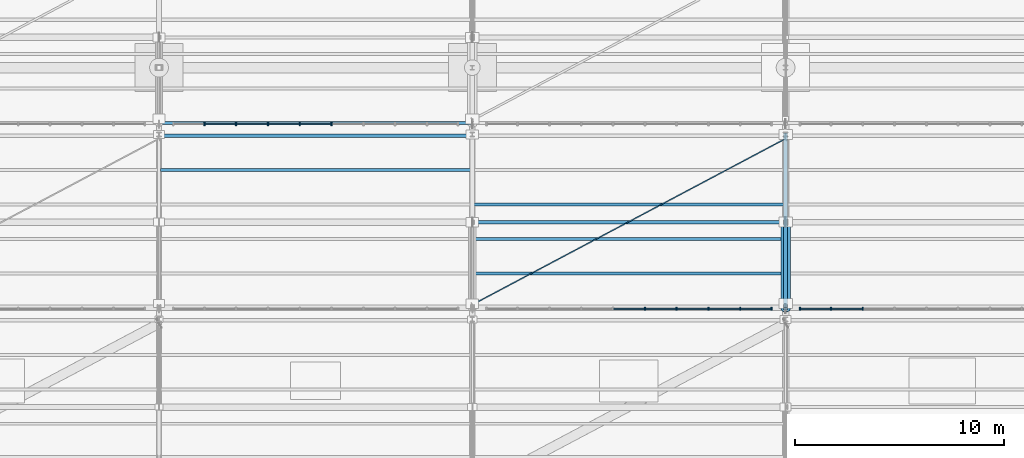
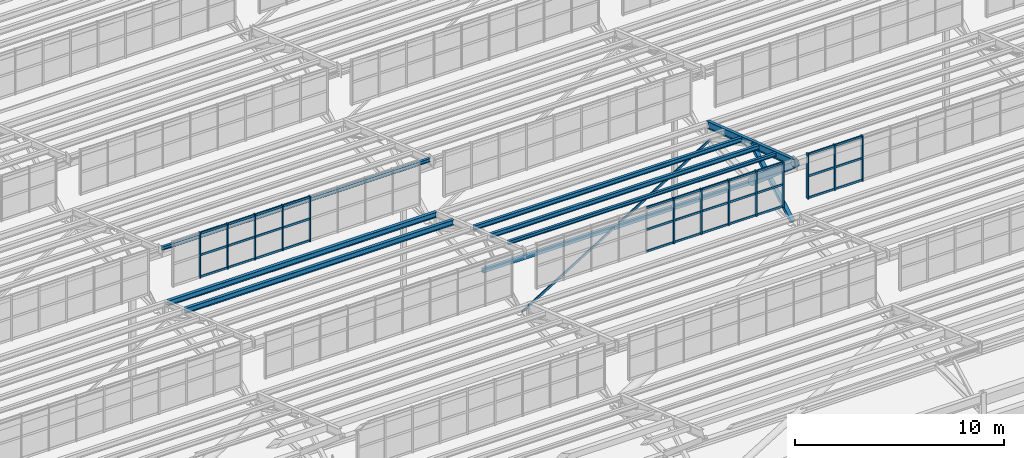
# One storey, part 57 of 285: 50 members, 7 beams, 3 elements without a shape of their own.
"""IFC4 building model written with IfcOpenShell, lengths in metres."""

from ifc_helpers import new_model, si_unit, direction, frame, origin, origin_2d, place, context, subcontext, project, spatial, rectangle, hollow_rectangle, hollow_circle, i_section, extrude, material, material_profile, profile_set, type_object, element, aggregate, save


model = new_model("IFC4")

# Units and contexts
model_context = context("Model", 3, precision=1e-05, world=origin(), true_north=direction((0.0, 1.0)))
body_context = subcontext(model_context, "Body", "Model", "MODEL_VIEW")
ifc_project = project(units=[si_unit("LENGTHUNIT", "METRE"), si_unit("AREAUNIT", "SQUARE_METRE"), si_unit("VOLUMEUNIT", "CUBIC_METRE"), si_unit("PLANEANGLEUNIT", "RADIAN"), si_unit("MASSUNIT", "GRAM", prefix="KILO")], contexts=[model_context])

# Site, building, storey
site_placement = place(None, origin())
site = spatial("IfcSite", under=ifc_project, at=site_placement, CompositionType="ELEMENT")
building_placement = place(site_placement, origin())
building = spatial("IfcBuilding", under=site, at=building_placement, Name="Solanera Park Tramway Depot", CompositionType="ELEMENT")
storey_placement = place(building_placement, origin())
storey = spatial("IfcBuildingStorey", under=building, at=storey_placement, Name="L00", CompositionType="ELEMENT", Elevation=0.0)

# Curtain wall, members
ifc_material_1 = material(Name="Bronze-anodised thermally broken aluminium curtain wall", Category="aluminium")
curtain_wall_type = type_object("IfcCurtainWallType", Name="Sawtooth Clerestory Monitor Curtain Wall", PredefinedType="NOTDEFINED", material=ifc_material_1)
curtain_wall_1_placement = place(storey_placement, origin())
curtain_wall_1 = element("IfcCurtainWall", 1, at=curtain_wall_1_placement, inside=storey, type_object=curtain_wall_type, Name="L00 Sawtooth Clerestory Monitor Curtain Wall #014", PredefinedType="NOTDEFINED")
ifc_material_2 = material(Name="Bronze-anodised structural aluminium 6063-T6", Category="aluminium")
ifc_material_profile_1 = material_profile(ifc_material_2, rectangle(XDim=0.06494140625, YDim=0.14990234375, at=origin_2d()), Name="Curtain Wall Mullion 65x150")
ifc_profile_set_1 = profile_set([ifc_material_profile_1], Name="Bronze-anodised structural aluminium 6063-T6")
member_type_1 = type_object("IfcMemberType", Name="Curtain Wall Mullion 65x150", PredefinedType="MULLION", material=ifc_profile_set_1)
member_1_placement = place(storey_placement, frame((53.260986328125, 73.449951171875, 7.75), z_axis=(0.0, 0.0, 1.0), x_axis=(1.0, 0.0, 0.0)))
member_1 = element("IfcMember", 2, at=member_1_placement, type_object=member_type_1, Name="CW-L00-014 Mullion 6", PredefinedType="MULLION", context=body_context, shape_type="SweptSolid", body=[
    extrude(rectangle(XDim=0.06494140625, YDim=0.14990234375, at=origin_2d()), origin(), (0.0, 0.0, 1.0), 2.6611328125),
])
member_2_placement = place(storey_placement, frame((54.783203125, 73.449951171875, 7.75), z_axis=(0.0, 0.0, 1.0), x_axis=(1.0, 0.0, 0.0)))
member_2 = element("IfcMember", 3, at=member_2_placement, type_object=member_type_1, Name="CW-L00-014 Mullion 7", PredefinedType="MULLION", context=body_context, shape_type="SweptSolid", body=[
    extrude(rectangle(XDim=0.06494140625, YDim=0.14990234375, at=origin_2d()), origin(), (0.0, 0.0, 1.0), 2.6611328125),
])
member_3_placement = place(storey_placement, frame((56.3056640625, 73.449951171875, 7.75), z_axis=(0.0, 0.0, 1.0), x_axis=(1.0, 0.0, 0.0)))
member_3 = element("IfcMember", 4, at=member_3_placement, type_object=member_type_1, Name="CW-L00-014 Mullion 8", PredefinedType="MULLION", context=body_context, shape_type="SweptSolid", body=[
    extrude(rectangle(XDim=0.06494140625, YDim=0.14990234375, at=origin_2d()), origin(), (0.0, 0.0, 1.0), 2.6611328125),
])
member_4_placement = place(storey_placement, frame((57.827880859375, 73.449951171875, 7.75), z_axis=(0.0, 0.0, 1.0), x_axis=(1.0, 0.0, 0.0)))
member_4 = element("IfcMember", 5, at=member_4_placement, type_object=member_type_1, Name="CW-L00-014 Mullion 9", PredefinedType="MULLION", context=body_context, shape_type="SweptSolid", body=[
    extrude(rectangle(XDim=0.06494140625, YDim=0.14990234375, at=origin_2d()), origin(), (0.0, 0.0, 1.0), 2.6611328125),
])
member_5_placement = place(storey_placement, frame((59.3173828125, 73.449951171875, 7.75), z_axis=(0.0, 0.0, 1.0), x_axis=(1.0, 0.0, 0.0)))
member_5 = element("IfcMember", 6, at=member_5_placement, type_object=member_type_1, Name="CW-L00-014 Mullion 10", PredefinedType="MULLION", context=body_context, shape_type="SweptSolid", body=[
    extrude(rectangle(XDim=0.06494140625, YDim=0.14990234375, at=origin_2d()), origin(), (0.0, 0.0, 1.0), 2.6611328125),
])

curtain_wall_2_placement = place(storey_placement, origin())
curtain_wall_2 = element("IfcCurtainWall", 7, at=curtain_wall_2_placement, inside=storey, type_object=curtain_wall_type, Name="L00 Sawtooth Clerestory Monitor Curtain Wall #015", PredefinedType="NOTDEFINED")
member_6_placement = place(storey_placement, frame((60.6826171875, 73.449951171875, 7.75), z_axis=(0.0, 0.0, 1.0), x_axis=(1.0, 0.0, 0.0)))
member_6 = element("IfcMember", 8, at=member_6_placement, type_object=member_type_1, Name="CW-L00-015 Mullion 1", PredefinedType="MULLION", context=body_context, shape_type="SweptSolid", body=[
    extrude(rectangle(XDim=0.06494140625, YDim=0.14990234375, at=origin_2d()), origin(), (0.0, 0.0, 1.0), 2.6611328125),
])
member_7_placement = place(storey_placement, frame((62.172119140625, 73.449951171875, 7.75), z_axis=(0.0, 0.0, 1.0), x_axis=(1.0, 0.0, 0.0)))
member_7 = element("IfcMember", 9, at=member_7_placement, type_object=member_type_1, Name="CW-L00-015 Mullion 2", PredefinedType="MULLION", context=body_context, shape_type="SweptSolid", body=[
    extrude(rectangle(XDim=0.06494140625, YDim=0.14990234375, at=origin_2d()), origin(), (0.0, 0.0, 1.0), 2.6611328125),
])
member_8_placement = place(storey_placement, frame((63.6943359375, 73.449951171875, 7.75), z_axis=(0.0, 0.0, 1.0), x_axis=(1.0, 0.0, 0.0)))
member_8 = element("IfcMember", 10, at=member_8_placement, type_object=member_type_1, Name="CW-L00-015 Mullion 3", PredefinedType="MULLION", context=body_context, shape_type="SweptSolid", body=[
    extrude(rectangle(XDim=0.06494140625, YDim=0.14990234375, at=origin_2d()), origin(), (0.0, 0.0, 1.0), 2.6611328125),
])

curtain_wall_3_placement = place(storey_placement, origin())
curtain_wall_3 = element("IfcCurtainWall", 11, at=curtain_wall_3_placement, inside=storey, type_object=curtain_wall_type, Name="L00 Sawtooth Clerestory Monitor Curtain Wall #021", PredefinedType="NOTDEFINED")
member_9_placement = place(storey_placement, frame((32.172119140625, 82.300048828125, 7.75), z_axis=(0.0, 0.0, 1.0), x_axis=(1.0, 0.0, 0.0)))
member_9 = element("IfcMember", 12, at=member_9_placement, type_object=member_type_1, Name="CW-L00-021 Mullion 2", PredefinedType="MULLION", context=body_context, shape_type="SweptSolid", body=[
    extrude(rectangle(XDim=0.06494140625, YDim=0.14990234375, at=origin_2d()), origin(), (0.0, 0.0, 1.0), 2.6611328125),
])
member_10_placement = place(storey_placement, frame((33.6943359375, 82.300048828125, 7.75), z_axis=(0.0, 0.0, 1.0), x_axis=(1.0, 0.0, 0.0)))
member_10 = element("IfcMember", 13, at=member_10_placement, type_object=member_type_1, Name="CW-L00-021 Mullion 3", PredefinedType="MULLION", context=body_context, shape_type="SweptSolid", body=[
    extrude(rectangle(XDim=0.06494140625, YDim=0.14990234375, at=origin_2d()), origin(), (0.0, 0.0, 1.0), 2.6611328125),
])
member_11_placement = place(storey_placement, frame((35.216796875, 82.300048828125, 7.75), z_axis=(0.0, 0.0, 1.0), x_axis=(1.0, 0.0, 0.0)))
member_11 = element("IfcMember", 14, at=member_11_placement, type_object=member_type_1, Name="CW-L00-021 Mullion 4", PredefinedType="MULLION", context=body_context, shape_type="SweptSolid", body=[
    extrude(rectangle(XDim=0.06494140625, YDim=0.14990234375, at=origin_2d()), origin(), (0.0, 0.0, 1.0), 2.6611328125),
])
member_12_placement = place(storey_placement, frame((36.739013671875, 82.300048828125, 7.75), z_axis=(0.0, 0.0, 1.0), x_axis=(1.0, 0.0, 0.0)))
member_12 = element("IfcMember", 15, at=member_12_placement, type_object=member_type_1, Name="CW-L00-021 Mullion 5", PredefinedType="MULLION", context=body_context, shape_type="SweptSolid", body=[
    extrude(rectangle(XDim=0.06494140625, YDim=0.14990234375, at=origin_2d()), origin(), (0.0, 0.0, 1.0), 2.6611328125),
])
member_13_placement = place(storey_placement, frame((38.260986328125, 82.300048828125, 7.75), z_axis=(0.0, 0.0, 1.0), x_axis=(1.0, 0.0, 0.0)))
member_13 = element("IfcMember", 16, at=member_13_placement, type_object=member_type_1, Name="CW-L00-021 Mullion 6", PredefinedType="MULLION", context=body_context, shape_type="SweptSolid", body=[
    extrude(rectangle(XDim=0.06494140625, YDim=0.14990234375, at=origin_2d()), origin(), (0.0, 0.0, 1.0), 2.6611328125),
])

# Member
ifc_material_3 = material(Name="Bronze-anodised structural aluminium 6063-T6", Category="aluminium")
ifc_material_profile_2 = material_profile(ifc_material_3, rectangle(XDim=0.06494140625, YDim=0.1201171875, at=origin_2d()), Name="Curtain Wall Transom 65x120")
ifc_profile_set_2 = profile_set([ifc_material_profile_2], Name="Bronze-anodised structural aluminium 6063-T6")
member_type_2 = type_object("IfcMemberType", Name="Curtain Wall Transom 65x120", PredefinedType="USERDEFINED", material=ifc_profile_set_2)
member_14_placement = place(storey_placement, frame((51.766845703125, 73.449951171875, 7.81005859375), z_axis=(1.0, 0.0, 0.0), x_axis=(0.0, 1.0, 0.0)))
member_14 = element("IfcMember", 17, at=member_14_placement, type_object=member_type_2, Name="CW-L00-014 Transom R1.C5", ObjectType="TRANSOM", PredefinedType="USERDEFINED", context=body_context, shape_type="SweptSolid", body=[
    extrude(rectangle(XDim=0.06494140625, YDim=0.1201171875, at=origin_2d()), origin(), (0.0, 0.0, 1.0), 1.46630859375),
])

member_15_placement = place(storey_placement, frame((53.2890625, 73.449951171875, 7.81005859375), z_axis=(1.0, 0.0, 0.0), x_axis=(0.0, 1.0, 0.0)))
member_15 = element("IfcMember", 18, at=member_15_placement, type_object=member_type_2, Name="CW-L00-014 Transom R1.C6", ObjectType="TRANSOM", PredefinedType="USERDEFINED", context=body_context, shape_type="SweptSolid", body=[
    extrude(rectangle(XDim=0.06494140625, YDim=0.1201171875, at=origin_2d()), origin(), (0.0, 0.0, 1.0), 1.46630859375),
])

member_16_placement = place(storey_placement, frame((54.811279296875, 73.449951171875, 7.81005859375), z_axis=(1.0, 0.0, 0.0), x_axis=(0.0, 1.0, 0.0)))
member_16 = element("IfcMember", 19, at=member_16_placement, type_object=member_type_2, Name="CW-L00-014 Transom R1.C7", ObjectType="TRANSOM", PredefinedType="USERDEFINED", context=body_context, shape_type="SweptSolid", body=[
    extrude(rectangle(XDim=0.06494140625, YDim=0.1201171875, at=origin_2d()), origin(), (0.0, 0.0, 1.0), 1.46630859375),
])

member_17_placement = place(storey_placement, frame((56.33349609375, 73.449951171875, 7.81005859375), z_axis=(1.0, 0.0, 0.0), x_axis=(0.0, 1.0, 0.0)))
member_17 = element("IfcMember", 20, at=member_17_placement, type_object=member_type_2, Name="CW-L00-014 Transom R1.C8", ObjectType="TRANSOM", PredefinedType="USERDEFINED", context=body_context, shape_type="SweptSolid", body=[
    extrude(rectangle(XDim=0.06494140625, YDim=0.1201171875, at=origin_2d()), origin(), (0.0, 0.0, 1.0), 1.46630859375),
])

member_18_placement = place(storey_placement, frame((57.855712890625, 73.449951171875, 7.81005859375), z_axis=(1.0, 0.0, 0.0), x_axis=(0.0, 1.0, 0.0)))
member_18 = element("IfcMember", 21, at=member_18_placement, type_object=member_type_2, Name="CW-L00-014 Transom R1.C9", ObjectType="TRANSOM", PredefinedType="USERDEFINED", context=body_context, shape_type="SweptSolid", body=[
    extrude(rectangle(XDim=0.06494140625, YDim=0.1201171875, at=origin_2d()), origin(), (0.0, 0.0, 1.0), 1.433837890625),
])

member_19_placement = place(storey_placement, frame((51.766845703125, 73.449951171875, 9.08056640625), z_axis=(1.0, 0.0, 0.0), x_axis=(0.0, 1.0, 0.0)))
member_19 = element("IfcMember", 22, at=member_19_placement, type_object=member_type_2, Name="CW-L00-014 Transom R2.C5", ObjectType="TRANSOM", PredefinedType="USERDEFINED", context=body_context, shape_type="SweptSolid", body=[
    extrude(rectangle(XDim=0.06494140625, YDim=0.1201171875, at=origin_2d()), origin(), (0.0, 0.0, 1.0), 1.46630859375),
])

member_20_placement = place(storey_placement, frame((53.2890625, 73.449951171875, 9.08056640625), z_axis=(1.0, 0.0, 0.0), x_axis=(0.0, 1.0, 0.0)))
member_20 = element("IfcMember", 23, at=member_20_placement, type_object=member_type_2, Name="CW-L00-014 Transom R2.C6", ObjectType="TRANSOM", PredefinedType="USERDEFINED", context=body_context, shape_type="SweptSolid", body=[
    extrude(rectangle(XDim=0.06494140625, YDim=0.1201171875, at=origin_2d()), origin(), (0.0, 0.0, 1.0), 1.46630859375),
])

member_21_placement = place(storey_placement, frame((54.811279296875, 73.449951171875, 9.08056640625), z_axis=(1.0, 0.0, 0.0), x_axis=(0.0, 1.0, 0.0)))
member_21 = element("IfcMember", 24, at=member_21_placement, type_object=member_type_2, Name="CW-L00-014 Transom R2.C7", ObjectType="TRANSOM", PredefinedType="USERDEFINED", context=body_context, shape_type="SweptSolid", body=[
    extrude(rectangle(XDim=0.06494140625, YDim=0.1201171875, at=origin_2d()), origin(), (0.0, 0.0, 1.0), 1.46630859375),
])

member_22_placement = place(storey_placement, frame((56.33349609375, 73.449951171875, 9.08056640625), z_axis=(1.0, 0.0, 0.0), x_axis=(0.0, 1.0, 0.0)))
member_22 = element("IfcMember", 25, at=member_22_placement, type_object=member_type_2, Name="CW-L00-014 Transom R2.C8", ObjectType="TRANSOM", PredefinedType="USERDEFINED", context=body_context, shape_type="SweptSolid", body=[
    extrude(rectangle(XDim=0.06494140625, YDim=0.1201171875, at=origin_2d()), origin(), (0.0, 0.0, 1.0), 1.46630859375),
])

member_23_placement = place(storey_placement, frame((57.855712890625, 73.449951171875, 9.08056640625), z_axis=(1.0, 0.0, 0.0), x_axis=(0.0, 1.0, 0.0)))
member_23 = element("IfcMember", 26, at=member_23_placement, type_object=member_type_2, Name="CW-L00-014 Transom R2.C9", ObjectType="TRANSOM", PredefinedType="USERDEFINED", context=body_context, shape_type="SweptSolid", body=[
    extrude(rectangle(XDim=0.06494140625, YDim=0.1201171875, at=origin_2d()), origin(), (0.0, 0.0, 1.0), 1.433837890625),
])

member_24_placement = place(storey_placement, frame((51.766845703125, 73.449951171875, 10.351318359375), z_axis=(1.0, 0.0, 0.0), x_axis=(0.0, 1.0, 0.0)))
member_24 = element("IfcMember", 27, at=member_24_placement, type_object=member_type_2, Name="CW-L00-014 Transom R3.C5", ObjectType="TRANSOM", PredefinedType="USERDEFINED", context=body_context, shape_type="SweptSolid", body=[
    extrude(rectangle(XDim=0.06494140625, YDim=0.1201171875, at=origin_2d()), origin(), (0.0, 0.0, 1.0), 1.46630859375),
])

member_25_placement = place(storey_placement, frame((53.2890625, 73.449951171875, 10.351318359375), z_axis=(1.0, 0.0, 0.0), x_axis=(0.0, 1.0, 0.0)))
member_25 = element("IfcMember", 28, at=member_25_placement, type_object=member_type_2, Name="CW-L00-014 Transom R3.C6", ObjectType="TRANSOM", PredefinedType="USERDEFINED", context=body_context, shape_type="SweptSolid", body=[
    extrude(rectangle(XDim=0.06494140625, YDim=0.1201171875, at=origin_2d()), origin(), (0.0, 0.0, 1.0), 1.46630859375),
])

member_26_placement = place(storey_placement, frame((54.811279296875, 73.449951171875, 10.351318359375), z_axis=(1.0, 0.0, 0.0), x_axis=(0.0, 1.0, 0.0)))
member_26 = element("IfcMember", 29, at=member_26_placement, type_object=member_type_2, Name="CW-L00-014 Transom R3.C7", ObjectType="TRANSOM", PredefinedType="USERDEFINED", context=body_context, shape_type="SweptSolid", body=[
    extrude(rectangle(XDim=0.06494140625, YDim=0.1201171875, at=origin_2d()), origin(), (0.0, 0.0, 1.0), 1.46630859375),
])

member_27_placement = place(storey_placement, frame((56.33349609375, 73.449951171875, 10.351318359375), z_axis=(1.0, 0.0, 0.0), x_axis=(0.0, 1.0, 0.0)))
member_27 = element("IfcMember", 30, at=member_27_placement, type_object=member_type_2, Name="CW-L00-014 Transom R3.C8", ObjectType="TRANSOM", PredefinedType="USERDEFINED", context=body_context, shape_type="SweptSolid", body=[
    extrude(rectangle(XDim=0.06494140625, YDim=0.1201171875, at=origin_2d()), origin(), (0.0, 0.0, 1.0), 1.46630859375),
])

member_28_placement = place(storey_placement, frame((57.855712890625, 73.449951171875, 10.351318359375), z_axis=(1.0, 0.0, 0.0), x_axis=(0.0, 1.0, 0.0)))
member_28 = element("IfcMember", 31, at=member_28_placement, type_object=member_type_2, Name="CW-L00-014 Transom R3.C9", ObjectType="TRANSOM", PredefinedType="USERDEFINED", context=body_context, shape_type="SweptSolid", body=[
    extrude(rectangle(XDim=0.06494140625, YDim=0.1201171875, at=origin_2d()), origin(), (0.0, 0.0, 1.0), 1.433837890625),
])

aggregate(curtain_wall_1, [member_1, member_2, member_3, member_4, member_5, member_14, member_15, member_16, member_17, member_18, member_19, member_20, member_21, member_22, member_23, member_24, member_25, member_26, member_27, member_28])

member_29_placement = place(storey_placement, frame((60.71044921875, 73.449951171875, 7.81005859375), z_axis=(1.0, 0.0, 0.0), x_axis=(0.0, 1.0, 0.0)))
member_29 = element("IfcMember", 32, at=member_29_placement, type_object=member_type_2, Name="CW-L00-015 Transom R1.C1", ObjectType="TRANSOM", PredefinedType="USERDEFINED", context=body_context, shape_type="SweptSolid", body=[
    extrude(rectangle(XDim=0.06494140625, YDim=0.1201171875, at=origin_2d()), origin(), (0.0, 0.0, 1.0), 1.433837890625),
])

member_30_placement = place(storey_placement, frame((62.2001953125, 73.449951171875, 7.81005859375), z_axis=(1.0, 0.0, 0.0), x_axis=(0.0, 1.0, 0.0)))
member_30 = element("IfcMember", 33, at=member_30_placement, type_object=member_type_2, Name="CW-L00-015 Transom R1.C2", ObjectType="TRANSOM", PredefinedType="USERDEFINED", context=body_context, shape_type="SweptSolid", body=[
    extrude(rectangle(XDim=0.06494140625, YDim=0.1201171875, at=origin_2d()), origin(), (0.0, 0.0, 1.0), 1.46630859375),
])

member_31_placement = place(storey_placement, frame((60.71044921875, 73.449951171875, 9.08056640625), z_axis=(1.0, 0.0, 0.0), x_axis=(0.0, 1.0, 0.0)))
member_31 = element("IfcMember", 34, at=member_31_placement, type_object=member_type_2, Name="CW-L00-015 Transom R2.C1", ObjectType="TRANSOM", PredefinedType="USERDEFINED", context=body_context, shape_type="SweptSolid", body=[
    extrude(rectangle(XDim=0.06494140625, YDim=0.1201171875, at=origin_2d()), origin(), (0.0, 0.0, 1.0), 1.433837890625),
])

member_32_placement = place(storey_placement, frame((62.2001953125, 73.449951171875, 9.08056640625), z_axis=(1.0, 0.0, 0.0), x_axis=(0.0, 1.0, 0.0)))
member_32 = element("IfcMember", 35, at=member_32_placement, type_object=member_type_2, Name="CW-L00-015 Transom R2.C2", ObjectType="TRANSOM", PredefinedType="USERDEFINED", context=body_context, shape_type="SweptSolid", body=[
    extrude(rectangle(XDim=0.06494140625, YDim=0.1201171875, at=origin_2d()), origin(), (0.0, 0.0, 1.0), 1.46630859375),
])

member_33_placement = place(storey_placement, frame((60.71044921875, 73.449951171875, 10.351318359375), z_axis=(1.0, 0.0, 0.0), x_axis=(0.0, 1.0, 0.0)))
member_33 = element("IfcMember", 36, at=member_33_placement, type_object=member_type_2, Name="CW-L00-015 Transom R3.C1", ObjectType="TRANSOM", PredefinedType="USERDEFINED", context=body_context, shape_type="SweptSolid", body=[
    extrude(rectangle(XDim=0.06494140625, YDim=0.1201171875, at=origin_2d()), origin(), (0.0, 0.0, 1.0), 1.433837890625),
])

member_34_placement = place(storey_placement, frame((62.2001953125, 73.449951171875, 10.351318359375), z_axis=(1.0, 0.0, 0.0), x_axis=(0.0, 1.0, 0.0)))
member_34 = element("IfcMember", 37, at=member_34_placement, type_object=member_type_2, Name="CW-L00-015 Transom R3.C2", ObjectType="TRANSOM", PredefinedType="USERDEFINED", context=body_context, shape_type="SweptSolid", body=[
    extrude(rectangle(XDim=0.06494140625, YDim=0.1201171875, at=origin_2d()), origin(), (0.0, 0.0, 1.0), 1.46630859375),
])

aggregate(curtain_wall_2, [member_6, member_7, member_8, member_29, member_30, member_31, member_32, member_33, member_34])

member_35_placement = place(storey_placement, frame((32.2001953125, 82.300048828125, 7.81005859375), z_axis=(1.0, 0.0, 0.0), x_axis=(0.0, 1.0, 0.0)))
member_35 = element("IfcMember", 38, at=member_35_placement, type_object=member_type_2, Name="CW-L00-021 Transom R1.C2", ObjectType="TRANSOM", PredefinedType="USERDEFINED", context=body_context, shape_type="SweptSolid", body=[
    extrude(rectangle(XDim=0.06494140625, YDim=0.1201171875, at=origin_2d()), origin(), (0.0, 0.0, 1.0), 1.46630859375),
])

member_36_placement = place(storey_placement, frame((33.722412109375, 82.300048828125, 7.81005859375), z_axis=(1.0, 0.0, 0.0), x_axis=(0.0, 1.0, 0.0)))
member_36 = element("IfcMember", 39, at=member_36_placement, type_object=member_type_2, Name="CW-L00-021 Transom R1.C3", ObjectType="TRANSOM", PredefinedType="USERDEFINED", context=body_context, shape_type="SweptSolid", body=[
    extrude(rectangle(XDim=0.06494140625, YDim=0.1201171875, at=origin_2d()), origin(), (0.0, 0.0, 1.0), 1.46630859375),
])

member_37_placement = place(storey_placement, frame((35.24462890625, 82.300048828125, 7.81005859375), z_axis=(1.0, 0.0, 0.0), x_axis=(0.0, 1.0, 0.0)))
member_37 = element("IfcMember", 40, at=member_37_placement, type_object=member_type_2, Name="CW-L00-021 Transom R1.C4", ObjectType="TRANSOM", PredefinedType="USERDEFINED", context=body_context, shape_type="SweptSolid", body=[
    extrude(rectangle(XDim=0.06494140625, YDim=0.1201171875, at=origin_2d()), origin(), (0.0, 0.0, 1.0), 1.46630859375),
])

member_38_placement = place(storey_placement, frame((36.766845703125, 82.300048828125, 7.81005859375), z_axis=(1.0, 0.0, 0.0), x_axis=(0.0, 1.0, 0.0)))
member_38 = element("IfcMember", 41, at=member_38_placement, type_object=member_type_2, Name="CW-L00-021 Transom R1.C5", ObjectType="TRANSOM", PredefinedType="USERDEFINED", context=body_context, shape_type="SweptSolid", body=[
    extrude(rectangle(XDim=0.06494140625, YDim=0.1201171875, at=origin_2d()), origin(), (0.0, 0.0, 1.0), 1.46630859375),
])

member_39_placement = place(storey_placement, frame((32.2001953125, 82.300048828125, 9.08056640625), z_axis=(1.0, 0.0, 0.0), x_axis=(0.0, 1.0, 0.0)))
member_39 = element("IfcMember", 42, at=member_39_placement, type_object=member_type_2, Name="CW-L00-021 Transom R2.C2", ObjectType="TRANSOM", PredefinedType="USERDEFINED", context=body_context, shape_type="SweptSolid", body=[
    extrude(rectangle(XDim=0.06494140625, YDim=0.1201171875, at=origin_2d()), origin(), (0.0, 0.0, 1.0), 1.46630859375),
])

member_40_placement = place(storey_placement, frame((33.722412109375, 82.300048828125, 9.08056640625), z_axis=(1.0, 0.0, 0.0), x_axis=(0.0, 1.0, 0.0)))
member_40 = element("IfcMember", 43, at=member_40_placement, type_object=member_type_2, Name="CW-L00-021 Transom R2.C3", ObjectType="TRANSOM", PredefinedType="USERDEFINED", context=body_context, shape_type="SweptSolid", body=[
    extrude(rectangle(XDim=0.06494140625, YDim=0.1201171875, at=origin_2d()), origin(), (0.0, 0.0, 1.0), 1.46630859375),
])

member_41_placement = place(storey_placement, frame((35.24462890625, 82.300048828125, 9.08056640625), z_axis=(1.0, 0.0, 0.0), x_axis=(0.0, 1.0, 0.0)))
member_41 = element("IfcMember", 44, at=member_41_placement, type_object=member_type_2, Name="CW-L00-021 Transom R2.C4", ObjectType="TRANSOM", PredefinedType="USERDEFINED", context=body_context, shape_type="SweptSolid", body=[
    extrude(rectangle(XDim=0.06494140625, YDim=0.1201171875, at=origin_2d()), origin(), (0.0, 0.0, 1.0), 1.46630859375),
])

member_42_placement = place(storey_placement, frame((36.766845703125, 82.300048828125, 9.08056640625), z_axis=(1.0, 0.0, 0.0), x_axis=(0.0, 1.0, 0.0)))
member_42 = element("IfcMember", 45, at=member_42_placement, type_object=member_type_2, Name="CW-L00-021 Transom R2.C5", ObjectType="TRANSOM", PredefinedType="USERDEFINED", context=body_context, shape_type="SweptSolid", body=[
    extrude(rectangle(XDim=0.06494140625, YDim=0.1201171875, at=origin_2d()), origin(), (0.0, 0.0, 1.0), 1.46630859375),
])

member_43_placement = place(storey_placement, frame((32.2001953125, 82.300048828125, 10.351318359375), z_axis=(1.0, 0.0, 0.0), x_axis=(0.0, 1.0, 0.0)))
member_43 = element("IfcMember", 46, at=member_43_placement, type_object=member_type_2, Name="CW-L00-021 Transom R3.C2", ObjectType="TRANSOM", PredefinedType="USERDEFINED", context=body_context, shape_type="SweptSolid", body=[
    extrude(rectangle(XDim=0.06494140625, YDim=0.1201171875, at=origin_2d()), origin(), (0.0, 0.0, 1.0), 1.46630859375),
])

member_44_placement = place(storey_placement, frame((33.722412109375, 82.300048828125, 10.351318359375), z_axis=(1.0, 0.0, 0.0), x_axis=(0.0, 1.0, 0.0)))
member_44 = element("IfcMember", 47, at=member_44_placement, type_object=member_type_2, Name="CW-L00-021 Transom R3.C3", ObjectType="TRANSOM", PredefinedType="USERDEFINED", context=body_context, shape_type="SweptSolid", body=[
    extrude(rectangle(XDim=0.06494140625, YDim=0.1201171875, at=origin_2d()), origin(), (0.0, 0.0, 1.0), 1.46630859375),
])

member_45_placement = place(storey_placement, frame((35.24462890625, 82.300048828125, 10.351318359375), z_axis=(1.0, 0.0, 0.0), x_axis=(0.0, 1.0, 0.0)))
member_45 = element("IfcMember", 48, at=member_45_placement, type_object=member_type_2, Name="CW-L00-021 Transom R3.C4", ObjectType="TRANSOM", PredefinedType="USERDEFINED", context=body_context, shape_type="SweptSolid", body=[
    extrude(rectangle(XDim=0.06494140625, YDim=0.1201171875, at=origin_2d()), origin(), (0.0, 0.0, 1.0), 1.46630859375),
])

member_46_placement = place(storey_placement, frame((36.766845703125, 82.300048828125, 10.351318359375), z_axis=(1.0, 0.0, 0.0), x_axis=(0.0, 1.0, 0.0)))
member_46 = element("IfcMember", 49, at=member_46_placement, type_object=member_type_2, Name="CW-L00-021 Transom R3.C5", ObjectType="TRANSOM", PredefinedType="USERDEFINED", context=body_context, shape_type="SweptSolid", body=[
    extrude(rectangle(XDim=0.06494140625, YDim=0.1201171875, at=origin_2d()), origin(), (0.0, 0.0, 1.0), 1.46630859375),
])

aggregate(curtain_wall_3, [member_9, member_10, member_11, member_12, member_13, member_35, member_36, member_37, member_38, member_39, member_40, member_41, member_42, member_43, member_44, member_45, member_46])

# Members
ifc_material_4 = material(Name="Steel AS/NZS 3679.1 Grade 350", Category="steel")
ifc_material_profile_3 = material_profile(ifc_material_4, i_section(OverallWidth=0.205078125, OverallDepth=0.209716796875, WebThickness=0.00927734375, FlangeThickness=0.01416015625, at=origin_2d()), Name="200UC59.5")
ifc_profile_set_3 = profile_set([ifc_material_profile_3], Name="Steel AS/NZS 3679.1 Grade 350")
member_type_3 = type_object("IfcMemberType", Name="Roof Gantry Compression Strut 200UC59.5", PredefinedType="STRUT", material=ifc_profile_set_3)
member_47_placement = place(storey_placement, frame((60.0, 73.699951171875, 6.5), z_axis=(0.0, 0.871644015716, 0.490139480011), x_axis=(-1.0, 0.0, 0.0)))
element("IfcMember", 50, at=member_47_placement, inside=storey, type_object=member_type_3, Name="Sawtooth ROOF TRUSS Strut 200UC59.5 #0099", PredefinedType="STRUT", context=body_context, shape_type="SweptSolid", body=[
    extrude(i_section(OverallWidth=0.205078125, OverallDepth=0.209716796875, WebThickness=0.00927734375, FlangeThickness=0.01416015625, at=origin_2d()), origin(), (0.0, 0.0, 1.0), 4.474365234375),
])
ifc_material_5 = material(Name="Steel AS/NZS 1163 Grade C350L0", Category="steel")
ifc_material_profile_4 = material_profile(ifc_material_5, hollow_rectangle(XDim=0.14990234375, YDim=0.25, WallThickness=0.008056640625, at=origin_2d()), Name="250x150x8.0 RHS")
ifc_profile_set_4 = profile_set([ifc_material_profile_4], Name="Steel AS/NZS 1163 Grade C350L0")
member_type_4 = type_object("IfcMemberType", Name="Secondary Truss Chord 250x150x8.0 RHS", PredefinedType="CHORD", material=ifc_profile_set_4)
member_48_placement = place(storey_placement, frame((45.087890625, 77.60009765625, 6.5), z_axis=(1.0, 0.0, 0.0), x_axis=(0.0, 1.0, 0.0)))
element("IfcMember", 51, at=member_48_placement, inside=storey, type_object=member_type_4, Name="Sawtooth Longitudinal Tie Chord 250x150x8.0 RHS #0122", PredefinedType="CHORD", context=body_context, shape_type="SweptSolid", body=[
    extrude(hollow_rectangle(XDim=0.14990234375, YDim=0.25, WallThickness=0.008056640625, at=origin_2d()), origin(), (0.0, 0.0, 1.0), 14.82421875),
])

# Beams
ifc_material_6 = material(Name="Steel AS/NZS 3679.1 Grade 350", Category="steel")
ifc_material_profile_5 = material_profile(ifc_material_6, i_section(OverallWidth=0.177734375, OverallDepth=0.406494140625, WebThickness=0.0078125, FlangeThickness=0.0126953125, at=origin_2d()), Name="410UB59.7")
ifc_profile_set_5 = profile_set([ifc_material_profile_5], Name="Steel AS/NZS 3679.1 Grade 350")
beam_type_1 = type_object("IfcBeamType", Name="Steel Beam 410UB59.7", PredefinedType="BEAM", material=ifc_profile_set_5)
beam_1_placement = place(storey_placement, frame((60.0, 73.449951171875, 10.08154296875), z_axis=(0.0, 0.948322229475, -0.317308917435), x_axis=(-1.0, 0.0, 0.0)))
element("IfcBeam", 52, at=beam_1_placement, inside=storey, type_object=beam_type_1, Name="Sawtooth ROOF TRUSS Top Rafter 410UB59.7 B03-T5", PredefinedType="BEAM", context=body_context, shape_type="SweptSolid", body=[
    extrude(i_section(OverallWidth=0.177734375, OverallDepth=0.406494140625, WebThickness=0.0078125, FlangeThickness=0.0126953125, at=origin_2d()), origin(), (0.0, 0.0, 1.0), 8.80517578125),
])
ifc_material_7 = material(Name="Steel AS/NZS 3679.1 Grade 350", Category="steel")
ifc_material_profile_6 = material_profile(ifc_material_7, i_section(OverallWidth=0.13330078125, OverallDepth=0.203125, WebThickness=0.005859375, FlangeThickness=0.0078125, at=origin_2d()), Name="200UB25.4")
ifc_profile_set_6 = profile_set([ifc_material_profile_6], Name="Steel AS/NZS 3679.1 Grade 350")
beam_type_2 = type_object("IfcBeamType", Name="Steel Joist Purlin 200UB25.4", PredefinedType="JOIST", material=ifc_profile_set_6)
for number, where, z_axis, x_axis, name in (
    (53, (45.077880859375, 75.14990234375, 9.614013671875), (1.0, 0.0, 0.0), (0.0, 1.0, 0.0), "Sawtooth Roof Purlin 200UB25.4 B03.2"),
    (54, (30.077880859375, 82.35009765625, 10.166259765625), (1.0, 0.0, 0.0), (0.0, 1.0, 0.0), "Sawtooth Roof Purlin 200UB25.4 B04.1"),
):
    element("IfcBeam", number, at=place(storey_placement, frame(where, z_axis=z_axis, x_axis=x_axis)), inside=storey, type_object=beam_type_2, Name=name, PredefinedType="JOIST", context=body_context, shape_type="SweptSolid", body=[
        extrude(i_section(OverallWidth=0.13330078125, OverallDepth=0.203125, WebThickness=0.005859375, FlangeThickness=0.0078125, at=origin_2d()), origin(), (0.0, 0.0, 1.0), 14.84130859375),
    ])
ifc_material_8 = material(Name="Steel AS/NZS 3679.1 Grade 350", Category="steel")
ifc_material_profile_7 = material_profile(ifc_material_8, i_section(OverallWidth=0.14599609375, OverallDepth=0.251708984375, WebThickness=0.006103515625, FlangeThickness=0.008544921875, at=origin_2d()), Name="250UB31.4")
ifc_profile_set_7 = profile_set([ifc_material_profile_7], Name="Steel AS/NZS 3679.1 Grade 350")
beam_type_3 = type_object("IfcBeamType", Name="Steel Joist Purlin 250UB31.4", PredefinedType="JOIST", material=ifc_profile_set_7)
beam_2_placement = place(storey_placement, frame((45.077880859375, 76.800048828125, 9.03564453125), z_axis=(1.0, 0.0, 0.0), x_axis=(0.0, 1.0, 0.0)))
element("IfcBeam", 55, at=beam_2_placement, inside=storey, type_object=beam_type_3, Name="Sawtooth Roof Purlin 250UB31.4 B03.3", PredefinedType="JOIST", context=body_context, shape_type="SweptSolid", body=[
    extrude(i_section(OverallWidth=0.14599609375, OverallDepth=0.251708984375, WebThickness=0.006103515625, FlangeThickness=0.008544921875, at=origin_2d()), origin(), (0.0, 0.0, 1.0), 14.84130859375),
])
ifc_material_9 = material(Name="Steel AS/NZS 3679.1 Grade 350", Category="steel")
ifc_material_profile_8 = material_profile(ifc_material_9, i_section(OverallWidth=0.146484375, OverallDepth=0.256103515625, WebThickness=0.00634765625, FlangeThickness=0.010986328125, at=origin_2d()), Name="250UB37.3")
ifc_profile_set_8 = profile_set([ifc_material_profile_8], Name="Steel AS/NZS 3679.1 Grade 350")
beam_type_4 = type_object("IfcBeamType", Name="Steel Joist Purlin 250UB37.3", PredefinedType="JOIST", material=ifc_profile_set_8)
beam_3_placement = place(storey_placement, frame((45.077880859375, 78.449951171875, 8.481201171875), z_axis=(1.0, 0.0, 0.0), x_axis=(0.0, 1.0, 0.0)))
element("IfcBeam", 56, at=beam_3_placement, inside=storey, type_object=beam_type_4, Name="Sawtooth Roof Purlin 250UB37.3 B03.4", PredefinedType="JOIST", context=body_context, shape_type="SweptSolid", body=[
    extrude(i_section(OverallWidth=0.146484375, OverallDepth=0.256103515625, WebThickness=0.00634765625, FlangeThickness=0.010986328125, at=origin_2d()), origin(), (0.0, 0.0, 1.0), 14.84130859375),
])
ifc_material_10 = material(Name="Steel AS/NZS 3679.1 Grade 350", Category="steel")
ifc_material_profile_9 = material_profile(ifc_material_10, i_section(OverallWidth=0.1650390625, OverallDepth=0.3037109375, WebThickness=0.006103515625, FlangeThickness=0.01025390625, at=origin_2d()), Name="310UB40.4")
ifc_profile_set_9 = profile_set([ifc_material_profile_9], Name="Steel AS/NZS 3679.1 Grade 350")
beam_type_5 = type_object("IfcBeamType", Name="Steel Joist Purlin 310UB40.4", PredefinedType="JOIST", material=ifc_profile_set_9)
beam_4_placement = place(storey_placement, frame((30.074951171875, 80.10009765625, 7.902099609375), z_axis=(1.0, 0.0, 0.0), x_axis=(0.0, 1.0, 0.0)))
element("IfcBeam", 57, at=beam_4_placement, inside=storey, type_object=beam_type_5, Name="Sawtooth Roof Purlin 310UB40.4 B03.5", PredefinedType="JOIST", context=body_context, shape_type="SweptSolid", body=[
    extrude(i_section(OverallWidth=0.1650390625, OverallDepth=0.3037109375, WebThickness=0.006103515625, FlangeThickness=0.01025390625, at=origin_2d()), origin(), (0.0, 0.0, 1.0), 14.84716796875),
])
ifc_material_11 = material(Name="Steel AS/NZS 3679.1 Grade 350", Category="steel")
ifc_material_profile_10 = material_profile(ifc_material_11, i_section(OverallWidth=0.166015625, OverallDepth=0.30712890625, WebThickness=0.006591796875, FlangeThickness=0.01171875, at=origin_2d()), Name="310UB46.2")
ifc_profile_set_10 = profile_set([ifc_material_profile_10], Name="Steel AS/NZS 3679.1 Grade 350")
beam_type_6 = type_object("IfcBeamType", Name="Steel Joist Purlin 310UB46.2", PredefinedType="JOIST", material=ifc_profile_set_10)
beam_5_placement = place(storey_placement, frame((30.074951171875, 81.75, 7.348388671875), z_axis=(1.0, 0.0, 0.0), x_axis=(0.0, 1.0, 0.0)))
element("IfcBeam", 58, at=beam_5_placement, inside=storey, type_object=beam_type_6, Name="Sawtooth Roof Purlin 310UB46.2 B03.6", PredefinedType="JOIST", context=body_context, shape_type="SweptSolid", body=[
    extrude(i_section(OverallWidth=0.166015625, OverallDepth=0.30712890625, WebThickness=0.006591796875, FlangeThickness=0.01171875, at=origin_2d()), origin(), (0.0, 0.0, 1.0), 14.84716796875),
])

# Members
ifc_material_12 = material(Name="Steel AS/NZS 1163 Grade C350L0", Category="steel")
ifc_material_profile_11 = material_profile(ifc_material_12, hollow_rectangle(XDim=0.050048828125, YDim=0.14990234375, WallThickness=0.0048828125, at=origin_2d()), Name="150x50x5.0 RHS")
ifc_profile_set_11 = profile_set([ifc_material_profile_11], Name="Steel AS/NZS 1163 Grade C350L0")
member_type_5 = type_object("IfcMemberType", Name="Truss and Frame Brace 150x50x5.0 RHS", PredefinedType="BRACE", material=ifc_profile_set_11)
member_49_placement = place(storey_placement, frame((45.001953125, 73.64990234375, 6.5), z_axis=(0.883517662461, 0.468397843846, 0.0), x_axis=(-0.468397843846, 0.883517662461, 0.0)))
element("IfcMember", 59, at=member_49_placement, inside=storey, type_object=member_type_5, Name="Roof Plane Cyclonic Brace 150x50x5.0 RHS #0123", PredefinedType="BRACE", context=body_context, shape_type="SweptSolid", body=[
    extrude(hollow_rectangle(XDim=0.050048828125, YDim=0.14990234375, WallThickness=0.0048828125, at=origin_2d()), origin(), (0.0, 0.0, 1.0), 16.97314453125),
])
ifc_material_13 = material(Name="Steel AS/NZS 1163 Grade C350L0", Category="steel")
ifc_material_profile_12 = material_profile(ifc_material_13, hollow_circle(Radius=0.228515625, WallThickness=0.0126953125, at=origin_2d()), Name="457.0x12.7 CHS")
ifc_profile_set_12 = profile_set([ifc_material_profile_12], Name="Steel AS/NZS 1163 Grade C350L0")
member_type_6 = type_object("IfcMemberType", Name="Truss and Frame Brace 457.0x12.7 CHS", PredefinedType="BRACE", material=ifc_profile_set_12)
member_50_placement = place(storey_placement, frame((60.0, 77.60009765625, 6.5), z_axis=(0.0, -0.757064292854, 0.653340383327), x_axis=(1.0, 0.0, 0.0)))
element("IfcMember", 60, at=member_50_placement, inside=storey, type_object=member_type_6, Name="Sawtooth ROOF TRUSS Web Brace 457.0x12.7 CHS #0097", PredefinedType="BRACE", context=body_context, shape_type="SweptSolid", body=[
    extrude(hollow_circle(Radius=0.228515625, WallThickness=0.0126953125, at=origin_2d()), origin(), (0.0, 0.0, 1.0), 5.48193359375),
])

save(model, "model.ifc")
